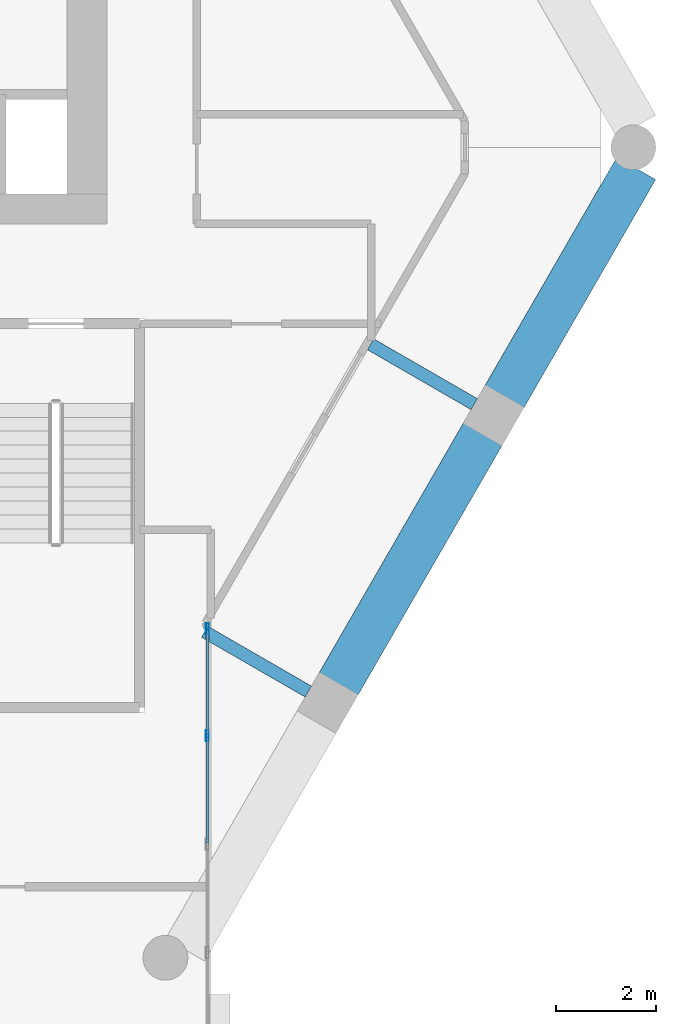
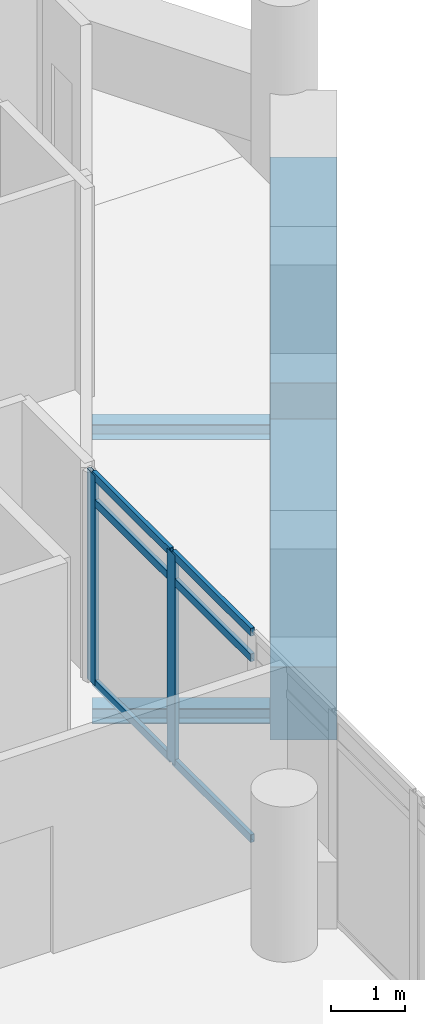
# One storey, part 14 of 34: 8 members, 4 beams, 1 element without a shape of its own.
"""IFC4 building model written with IfcOpenShell, lengths in metres."""

from ifc_helpers import new_model, si_unit, direction, frame, origin, origin_2d, place, context, subcontext, project, spatial, rectangle, hollow_rectangle, i_section, extrude, material, material_profile, profile_set, type_object, element, aggregate, save


model = new_model("IFC4")

# Units and contexts
model_context = context("Model", 3, precision=1e-05, world=origin(), true_north=direction((0.0, 1.0)))
body_context = subcontext(model_context, "Body", "Model", "MODEL_VIEW")
ifc_project = project(units=[si_unit("LENGTHUNIT", "METRE"), si_unit("AREAUNIT", "SQUARE_METRE"), si_unit("VOLUMEUNIT", "CUBIC_METRE"), si_unit("PLANEANGLEUNIT", "RADIAN"), si_unit("MASSUNIT", "GRAM", prefix="KILO")], contexts=[model_context])

# Site, building, storey
site_placement = place(None, origin())
site = spatial("IfcSite", under=ifc_project, at=site_placement, CompositionType="ELEMENT")
building_placement = place(site_placement, origin())
building = spatial("IfcBuilding", under=site, at=building_placement, Name="Ostrander Bayou Hotel Tower", CompositionType="ELEMENT")
storey_placement = place(building_placement, frame((0.0, 0.0, 222.0)))
storey = spatial("IfcBuildingStorey", under=building, at=storey_placement, Name="L55", CompositionType="ELEMENT", Elevation=222.0)

# Curtain wall, members
ifc_material_1 = material(Name="Aluminium and clear glass", Category="aluminium")
curtain_wall_type = type_object("IfcCurtainWallType", Name="CW-BAR glazed wall", PredefinedType="NOTDEFINED", material=ifc_material_1)
curtain_wall_placement = place(storey_placement, origin())
curtain_wall = element("IfcCurtainWall", 1, at=curtain_wall_placement, inside=storey, type_object=curtain_wall_type, Name="CW-BAR L55:SB5S:W", PredefinedType="NOTDEFINED")
ifc_material_2 = material(Name="Aluminium", Category="aluminium")
ifc_material_profile_1 = material_profile(ifc_material_2, hollow_rectangle(XDim=0.06005859375, YDim=0.219970703125, WallThickness=0.00390625, at=origin_2d()))
ifc_profile_set_1 = profile_set([ifc_material_profile_1], Name="Aluminium")
member_type_1 = type_object("IfcMemberType", Name="CW-BR mullion 60 x 220 mm", PredefinedType="MULLION", material=ifc_profile_set_1)
member_1_placement = place(storey_placement, frame((10.51220703125, -9.822265625, 0.0), z_axis=(0.0, 0.0, 1.0), x_axis=(1.0, 0.0, 0.0)))
member_1 = element("IfcMember", 2, at=member_1_placement, type_object=member_type_1, Name="CW-BAR mullion 1", PredefinedType="MULLION", context=body_context, shape_type="SweptSolid", body=[
    extrude(hollow_rectangle(XDim=0.06005859375, YDim=0.219970703125, WallThickness=0.00390625, at=origin_2d()), origin(), (0.0, 0.0, 1.0), 3.449951171875),
])
member_2_placement = place(storey_placement, frame((10.51220703125, -11.970703125, 0.0), z_axis=(0.0, 0.0, 1.0), x_axis=(1.0, 0.0, 0.0)))
member_2 = element("IfcMember", 3, at=member_2_placement, type_object=member_type_1, Name="CW-BAR mullion 2", PredefinedType="MULLION", context=body_context, shape_type="SweptSolid", body=[
    extrude(hollow_rectangle(XDim=0.06005859375, YDim=0.219970703125, WallThickness=0.00390625, at=origin_2d()), origin(), (0.0, 0.0, 1.0), 3.449951171875),
])
ifc_material_3 = material(Name="Aluminium", Category="aluminium")
ifc_material_profile_2 = material_profile(ifc_material_3, hollow_rectangle(XDim=0.06005859375, YDim=0.1298828125, WallThickness=0.00390625, at=origin_2d()))
ifc_profile_set_2 = profile_set([ifc_material_profile_2], Name="Aluminium")
member_type_2 = type_object("IfcMemberType", Name="CW-BR transom 60 x 130 mm", PredefinedType="USERDEFINED", material=ifc_profile_set_2)
member_3_placement = place(storey_placement, frame((10.51220703125, -9.852294921875, 0.030029296875), z_axis=(0.0, -1.0, 0.0), x_axis=(1.0, 0.0, 0.0)))
member_3 = element("IfcMember", 4, at=member_3_placement, type_object=member_type_2, Name="CW-BAR transom 1.1", ObjectType="TRANSOM", PredefinedType="USERDEFINED", context=body_context, shape_type="SweptSolid", body=[
    extrude(hollow_rectangle(XDim=0.06005859375, YDim=0.1298828125, WallThickness=0.00390625, at=origin_2d()), origin(), (0.0, 0.0, 1.0), 2.08837890625),
])
member_4_placement = place(storey_placement, frame((10.51220703125, -9.852294921875, 3.0), z_axis=(0.0, -1.0, 0.0), x_axis=(1.0, 0.0, 0.0)))
member_4 = element("IfcMember", 5, at=member_4_placement, type_object=member_type_2, Name="CW-BAR transom 1.2", ObjectType="TRANSOM", PredefinedType="USERDEFINED", context=body_context, shape_type="SweptSolid", body=[
    extrude(hollow_rectangle(XDim=0.06005859375, YDim=0.1298828125, WallThickness=0.00390625, at=origin_2d()), origin(), (0.0, 0.0, 1.0), 2.08837890625),
])
member_5_placement = place(storey_placement, frame((10.51220703125, -9.852294921875, 3.419921875), z_axis=(0.0, -1.0, 0.0), x_axis=(1.0, 0.0, 0.0)))
member_5 = element("IfcMember", 6, at=member_5_placement, type_object=member_type_2, Name="CW-BAR transom 1.3", ObjectType="TRANSOM", PredefinedType="USERDEFINED", context=body_context, shape_type="SweptSolid", body=[
    extrude(hollow_rectangle(XDim=0.06005859375, YDim=0.1298828125, WallThickness=0.00390625, at=origin_2d()), origin(), (0.0, 0.0, 1.0), 2.08837890625),
])
member_6_placement = place(storey_placement, frame((10.51220703125, -12.000732421875, 0.030029296875), z_axis=(0.0, -1.0, 0.0), x_axis=(1.0, 0.0, 0.0)))
member_6 = element("IfcMember", 7, at=member_6_placement, type_object=member_type_2, Name="CW-BAR transom 2.1", ObjectType="TRANSOM", PredefinedType="USERDEFINED", context=body_context, shape_type="SweptSolid", body=[
    extrude(hollow_rectangle(XDim=0.06005859375, YDim=0.1298828125, WallThickness=0.00390625, at=origin_2d()), origin(), (0.0, 0.0, 1.0), 2.1181640625),
])
member_7_placement = place(storey_placement, frame((10.51220703125, -12.000732421875, 3.0), z_axis=(0.0, -1.0, 0.0), x_axis=(1.0, 0.0, 0.0)))
member_7 = element("IfcMember", 8, at=member_7_placement, type_object=member_type_2, Name="CW-BAR transom 2.2", ObjectType="TRANSOM", PredefinedType="USERDEFINED", context=body_context, shape_type="SweptSolid", body=[
    extrude(hollow_rectangle(XDim=0.06005859375, YDim=0.1298828125, WallThickness=0.00390625, at=origin_2d()), origin(), (0.0, 0.0, 1.0), 2.1181640625),
])
member_8_placement = place(storey_placement, frame((10.51220703125, -12.000732421875, 3.419921875), z_axis=(0.0, -1.0, 0.0), x_axis=(1.0, 0.0, 0.0)))
member_8 = element("IfcMember", 9, at=member_8_placement, type_object=member_type_2, Name="CW-BAR transom 2.3", ObjectType="TRANSOM", PredefinedType="USERDEFINED", context=body_context, shape_type="SweptSolid", body=[
    extrude(hollow_rectangle(XDim=0.06005859375, YDim=0.1298828125, WallThickness=0.00390625, at=origin_2d()), origin(), (0.0, 0.0, 1.0), 2.1181640625),
])
aggregate(curtain_wall, [member_1, member_2, member_3, member_4, member_5, member_6, member_7, member_8])

# Beams
ifc_material_4 = material(Name="Steel ASTM A992", Category="steel")
ifc_material_profile_3 = material_profile(ifc_material_4, i_section(OverallWidth=0.25390625, OverallDepth=0.25341796875, WebThickness=0.008544921875, FlangeThickness=0.01416015625, at=origin_2d()))
ifc_profile_set_3 = profile_set([ifc_material_profile_3], Name="Steel ASTM A992")
beam_type_1 = type_object("IfcBeamType", Name="LB2 loggia bracket W10x49", PredefinedType="BEAM", material=ifc_profile_set_3)
for number, where, z_axis, x_axis, name in (
    (10, (12.5380859375, -11.083251953125, -0.4267578125), (-0.866024647952, 0.500001309137, 0.0), (-0.500001309137, -0.866024647952, 0.0), "LB2 L55 SE1"),
    (11, (15.867431640625, -5.316650390625, -0.4267578125), (-0.866024647952, 0.500001309137, 0.0), (-0.500001309137, -0.866024647952, 0.0), "LB2 L55 SE2"),
):
    element("IfcBeam", number, at=place(storey_placement, frame(where, z_axis=z_axis, x_axis=x_axis)), inside=storey, type_object=beam_type_1, Name=name, PredefinedType="BEAM", context=body_context, shape_type="SweptSolid", body=[
        extrude(i_section(OverallWidth=0.25390625, OverallDepth=0.25341796875, WebThickness=0.008544921875, FlangeThickness=0.01416015625, at=origin_2d()), origin(), (0.0, 0.0, 1.0), 2.39990234375),
    ])
ifc_material_5 = material(Name="Concrete f'c 60 MPa", Category="concrete")
ifc_material_profile_4 = material_profile(ifc_material_5, rectangle(XDim=0.89990234375, YDim=1.199951171875, at=origin_2d()))
ifc_profile_set_4 = profile_set([ifc_material_profile_4], Name="Concrete f'c 60 MPa")
beam_type_2 = type_object("IfcBeamType", Name="SP4 spandrel beam 900 x 1200 mm f'c 60 MPa", PredefinedType="SPANDREL", material=ifc_profile_set_4)
beam_1_placement = place(storey_placement, frame((13.1376953125, -10.944580078125, -0.60009765625), z_axis=(0.500015433515, 0.866016493057, 0.0), x_axis=(-0.866016493057, 0.500015433515, 0.0)))
element("IfcBeam", 12, at=beam_1_placement, inside=storey, type_object=beam_type_2, Name="SP4 L55 SE-2", PredefinedType="SPANDREL", context=body_context, shape_type="SweptSolid", body=[
    extrude(rectangle(XDim=0.89990234375, YDim=1.199951171875, at=origin_2d()), origin(), (0.0, 0.0, 1.0), 5.818603515625),
])
beam_2_placement = place(storey_placement, frame((16.46728515625, -5.177978515625, -0.60009765625), z_axis=(0.500001430823, 0.866024577697, 0.0), x_axis=(-0.866024577697, 0.500001430823, 0.0)))
element("IfcBeam", 13, at=beam_2_placement, inside=storey, type_object=beam_type_2, Name="SP4 L55 SE-3", PredefinedType="SPANDREL", context=body_context, shape_type="SweptSolid", body=[
    extrude(rectangle(XDim=0.89990234375, YDim=1.199951171875, at=origin_2d()), origin(), (0.0, 0.0, 1.0), 5.302734375),
])

save(model, "model.ifc")
